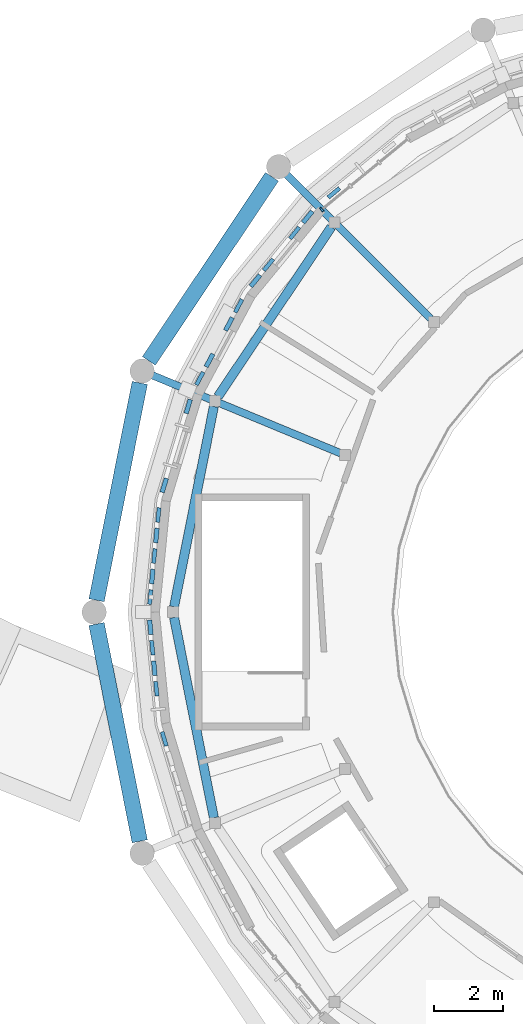
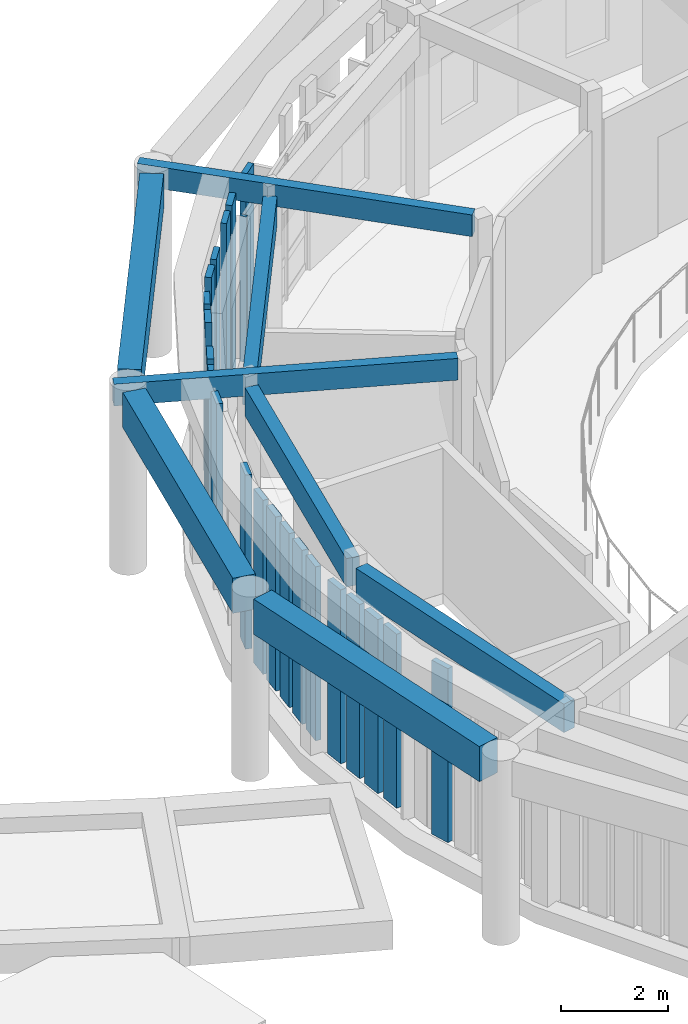
# One storey, part 13 of 80: 24 members, 6 beams, 1 element without a shape of its own.
"""IFC4 building model written with IfcOpenShell, lengths in metres."""

import ifcopenshell
import ifcopenshell.guid

model = None  # the IFC model being written
_history = None  # IfcOwnerHistory: only IFC2X3 demands one
_inside = {}  # id of a spatial element -> (the spatial element, [elements in it])
_under = {}  # id of a project, library or spatial element -> (it, [spatial elements below it])
_declared = {}  # id of a project -> (the project, [libraries it declares])
_typed = {}  # id of a type object -> (the type object, [elements of that type])
_made_of = {}  # id of a material, layer set ... -> (it, [elements and type objects made of it])


def new_model(schema):
    """Start an empty IFC model of exactly this schema.

    Asked for "IFC4X3", IfcOpenShell would pick the latest addendum, in which some entities
    have other attributes; the version numbers below select the first issue.
    IFC2X3 requires an IfcOwnerHistory on every rooted entity: one is made here for all.
    """
    global model, _history
    if schema == "IFC4X3":
        model = ifcopenshell.file(schema_version=(4, 3, 0, 0))
    else:
        model = ifcopenshell.file(schema=schema)
    _inside.clear()
    _under.clear()
    _declared.clear()
    _typed.clear()
    _made_of.clear()
    _history = None
    if model.schema == "IFC2X3":
        org = make("IfcOrganization", Name="unknown")
        user = make(
            "IfcPersonAndOrganization",
            ThePerson=make("IfcPerson", FamilyName="unknown"),
            TheOrganization=org,
        )
        app = make(
            "IfcApplication",
            ApplicationDeveloper=org,
            Version="unknown",
            ApplicationFullName="unknown",
            ApplicationIdentifier="unknown",
        )
        _history = make(
            "IfcOwnerHistory",
            OwningUser=user,
            OwningApplication=app,
            ChangeAction="ADDED",
            CreationDate=0,
        )
    return model


def make(cls, **values):
    """One entity of the class cls with the attributes given. An attribute that is None is left unset."""
    return model.create_entity(
        cls, **{name: value for name, value in values.items() if value is not None}
    )


def rooted(cls, **values):
    """An entity with a GlobalId (a new one), such as an element, a storey or a relation."""
    return make(cls, GlobalId=ifcopenshell.guid.new(), OwnerHistory=_history, **values)


def si_unit(unit_type, name, prefix=None):
    """IfcSIUnit, for example si_unit("LENGTHUNIT", "METRE", prefix="MILLI")."""
    return make("IfcSIUnit", UnitType=unit_type, Prefix=prefix, Name=name)


def assignment(units):
    """IfcUnitAssignment: the units of a project."""
    return None if units is None else make("IfcUnitAssignment", Units=units)


def point(xyz):
    """IfcCartesianPoint."""
    return None if xyz is None else make("IfcCartesianPoint", Coordinates=xyz)


def direction(xyz):
    """IfcDirection."""
    return None if xyz is None else make("IfcDirection", DirectionRatios=xyz)


def frame(location, z_axis=None, x_axis=None):
    """IfcAxis2Placement3D, a coordinate frame: its origin and axes. An axis left out is left unset."""
    return make(
        "IfcAxis2Placement3D",
        Location=point(location),
        Axis=direction(z_axis),
        RefDirection=direction(x_axis),
    )


def frame_2d(location, x_axis=None):
    """IfcAxis2Placement2D, a coordinate frame in the plane: its origin and x axis."""
    return make(
        "IfcAxis2Placement2D", Location=point(location), RefDirection=direction(x_axis)
    )


def origin():
    """The frame at (0, 0, 0) with its axes left unset."""
    return frame((0.0, 0.0, 0.0))


def origin_2d():
    """The frame at (0, 0) in the plane with its x axis left unset."""
    return frame_2d((0.0, 0.0))


def place(relative_to, where):
    """IfcLocalPlacement: puts the frame where relative to a parent placement (None: the world)."""
    return make(
        "IfcLocalPlacement", PlacementRelTo=relative_to, RelativePlacement=where
    )


def context(
    kind, dimensions, precision=None, world=None, true_north=None, identifier=None
):
    """IfcGeometricRepresentationContext, for example the 3D "Model" context."""
    return make(
        "IfcGeometricRepresentationContext",
        ContextIdentifier=identifier,
        ContextType=kind,
        CoordinateSpaceDimension=dimensions,
        Precision=precision,
        WorldCoordinateSystem=world,
        TrueNorth=true_north,
    )


def subcontext(parent, identifier, kind, view, scale=None):
    """IfcGeometricRepresentationSubContext, for example "Body" below "Model"."""
    return make(
        "IfcGeometricRepresentationSubContext",
        ContextIdentifier=identifier,
        ContextType=kind,
        ParentContext=parent,
        TargetScale=scale,
        TargetView=view,
    )


def project(units=None, contexts=None):
    """IfcProject with its units and contexts."""
    return rooted(
        "IfcProject",
        Name="project",
        RepresentationContexts=contexts,
        UnitsInContext=assignment(units),
    )


def spatial(cls, under=None, at=None, **own):
    """A site, building, storey or space (cls), placed at a placement, below another one or the project."""
    s = rooted(cls, ObjectPlacement=at, **own)
    if under is not None:
        _under.setdefault(under.id(), (under, []))[1].append(s)
    return s


def profile(cls, at=None, kind="AREA", **sizes):
    """A parametric profile (cls). Its sizes go by their IFC names, for example OverallWidth=200.0."""
    return make(cls, ProfileType=kind, Position=at, **sizes)


def rectangle(**sizes):
    """IfcRectangleProfileDef."""
    return profile("IfcRectangleProfileDef", **sizes)


def extrude(swept, where, along, depth):
    """IfcExtrudedAreaSolid: the profile swept, set in the frame where, extruded along a direction by depth."""
    return make(
        "IfcExtrudedAreaSolid",
        SweptArea=swept,
        Position=where,
        ExtrudedDirection=direction(along),
        Depth=depth,
    )


def shape(context_of_items, identifier, shape_type, items):
    """IfcShapeRepresentation: the items that make up one representation, for example the "Body"."""
    return make(
        "IfcShapeRepresentation",
        ContextOfItems=context_of_items,
        RepresentationIdentifier=identifier,
        RepresentationType=shape_type,
        Items=items,
    )


def material(Name=None, Category=None):
    """IfcMaterial."""
    return make("IfcMaterial", Name=Name, Category=Category)


def layer(
    of_material, thickness, ventilated=None, Name=None, Category=None, Priority=None
):
    """IfcMaterialLayer: one layer of a wall or slab, of a material (None: an air gap)."""
    return make(
        "IfcMaterialLayer",
        Material=of_material,
        LayerThickness=thickness,
        IsVentilated=ventilated,
        Name=Name,
        Category=Category,
        Priority=Priority,
    )


def layer_set(layers, Name=None):
    """IfcMaterialLayerSet."""
    return make("IfcMaterialLayerSet", MaterialLayers=layers, LayerSetName=Name)


def material_profile(
    of_material, cross_section, Name=None, Category=None, Priority=None
):
    """IfcMaterialProfile: a cross section and its material."""
    return make(
        "IfcMaterialProfile",
        Name=Name,
        Material=of_material,
        Profile=cross_section,
        Priority=Priority,
        Category=Category,
    )


def profile_set(profiles, Name=None, composite=None):
    """IfcMaterialProfileSet."""
    return make(
        "IfcMaterialProfileSet",
        Name=Name,
        MaterialProfiles=profiles,
        CompositeProfile=composite,
    )


def made_of(thing, what):
    """Note that an element or type object is made of a material, layer set ...; save() writes the relation."""
    if what is not None:
        _made_of.setdefault(what.id(), (what, []))[1].append(thing)
    return thing


def type_object(cls, material=None, **own):
    """A type object (cls), such as IfcWallType, which elements share."""
    return made_of(rooted(cls, **own), material)


def element(
    cls,
    number,
    at=None,
    inside=None,
    cuts=None,
    type_object=None,
    material=None,
    context=None,
    identifier="Body",
    shape_type=None,
    held_by="IfcProductDefinitionShape",
    body=None,
    shapes=None,
    **own,
):
    """One element of the class cls, such as IfcWall. Its Tag is "e" and its number.

    at: its placement. inside: the storey or other place that contains it. cuts: it is an
    opening in that element (IfcRelVoidsElement). A single representation is given by context,
    identifier, shape_type and body (its items); several are given by shapes. held_by: the class
    of the entity that holds the representations. save() writes the other relations.
    """
    e = rooted(cls, Tag="e%d" % number, ObjectPlacement=at, **own)
    if body is not None:
        shapes = [shape(context, identifier, shape_type, body)]
    if shapes is not None:
        e.Representation = make(held_by, Representations=shapes)
    if inside is not None:
        _inside.setdefault(inside.id(), (inside, []))[1].append(e)
    if cuts is not None:
        rooted(
            "IfcRelVoidsElement", RelatingBuildingElement=cuts, RelatedOpeningElement=e
        )
    if type_object is not None:
        _typed.setdefault(type_object.id(), (type_object, []))[1].append(e)
    return made_of(e, material)


def aggregate(whole, parts):
    """IfcRelAggregates: a whole, such as a stair, and the parts it consists of."""
    return rooted("IfcRelAggregates", RelatingObject=whole, RelatedObjects=parts)


def save(model, path):
    """Write the relations noted so far, then the file.

    IfcRelAggregates (storeys below a building ...), IfcRelContainedInSpatialStructure (elements
    in a storey), IfcRelDefinesByType, IfcRelAssociatesMaterial and IfcRelDeclares: one each for
    every whole, place, type object, material and project.
    """
    for whole, parts in _under.values():
        aggregate(whole, parts)
    for where, things in _inside.values():
        rooted(
            "IfcRelContainedInSpatialStructure",
            RelatedElements=things,
            RelatingStructure=where,
        )
    for kind, things in _typed.values():
        rooted("IfcRelDefinesByType", RelatedObjects=things, RelatingType=kind)
    for what, things in _made_of.values():
        rooted("IfcRelAssociatesMaterial", RelatedObjects=things, RelatingMaterial=what)
    for by, libraries in _declared.values():
        rooted("IfcRelDeclares", RelatingContext=by, RelatedDefinitions=libraries)
    model.write(path)


model = new_model("IFC4")

# Units and contexts
model_context = context("Model", 3, precision=1e-05, world=origin(), true_north=direction((0.0, 1.0)))
body_context = subcontext(model_context, "Body", "Model", "MODEL_VIEW")
ifc_project = project(units=[si_unit("LENGTHUNIT", "METRE"), si_unit("AREAUNIT", "SQUARE_METRE"), si_unit("VOLUMEUNIT", "CUBIC_METRE"), si_unit("PLANEANGLEUNIT", "RADIAN"), si_unit("MASSUNIT", "GRAM", prefix="KILO")], contexts=[model_context])

# Site, building, storey
site_placement = place(None, origin())
site = spatial("IfcSite", under=ifc_project, at=site_placement, CompositionType="ELEMENT")
building_placement = place(site_placement, origin())
building = spatial("IfcBuilding", under=site, at=building_placement, Name="Aldenvaro Health Centre", CompositionType="ELEMENT")
storey_placement = place(building_placement, frame((0.0, 0.0, 4.550048828125)))
storey = spatial("IfcBuildingStorey", under=building, at=storey_placement, Name="L01", CompositionType="ELEMENT", Elevation=4.550048828125)

# Beams
ifc_material_1 = material(Name="Glulam GL28h", Category="wood")
ifc_material_profile_1 = material_profile(ifc_material_1, rectangle(XDim=0.264892578125, YDim=0.64599609375, at=origin_2d()), Name="GL 265x646", Category="wood")
ifc_profile_set_1 = profile_set([ifc_material_profile_1], Name="Glulam GL28h")
beam_type_1 = type_object("IfcBeamType", Name="BM-GL-646", PredefinedType="SPANDREL", material=ifc_profile_set_1)
beam_1_placement = place(storey_placement, frame((75.68408203125, 31.097900390625, 3.636962890625), z_axis=(-0.555657760131, -0.831411121893, 0.0), x_axis=(0.831411121893, -0.555657760131, 0.0)))
element("IfcBeam", 1, at=beam_1_placement, inside=storey, type_object=beam_type_1, Name="D1 L01 perimeter spandrel 07", PredefinedType="SPANDREL", context=body_context, shape_type="SweptSolid", body=[
    extrude(rectangle(XDim=0.264892578125, YDim=0.64599609375, at=origin_2d()), origin(), (0.0, 0.0, 1.0), 5.88134765625),
])
for number, where, z_axis, x_axis, name in (
    (2, (72.298095703125, 25.923095703125, 3.636962890625), (-0.19503844742, -0.980795597476, 0.0), (0.980795597476, -0.19503844742, 0.0), "D1 L01 perimeter spandrel 08"),
    (3, (71.15087890625, 19.845947265625, 3.636962890625), (0.19503844742, -0.980795597476, 0.0), (0.980795597476, 0.19503844742, 0.0), "D1 L01 perimeter spandrel 09"),
):
    element("IfcBeam", number, at=place(storey_placement, frame(where, z_axis=z_axis, x_axis=x_axis)), inside=storey, type_object=beam_type_1, Name=name, PredefinedType="SPANDREL", context=body_context, shape_type="SweptSolid", body=[
        extrude(rectangle(XDim=0.264892578125, YDim=0.64599609375, at=origin_2d()), origin(), (0.0, 0.0, 1.0), 5.882080078125),
    ])
ifc_material_2 = material(Name="Concrete f'c 40 MPa", Category="concrete")
ifc_material_profile_2 = material_profile(ifc_material_2, rectangle(XDim=0.449951171875, YDim=0.800048828125, at=origin_2d()), Name="RC 450x800", Category="concrete")
ifc_profile_set_2 = profile_set([ifc_material_profile_2], Name="Concrete f'c 40 MPa")
beam_type_2 = type_object("IfcBeamType", Name="BM-RC-800", PredefinedType="SPANDREL", material=ifc_profile_set_2)
beam_2_placement = place(storey_placement, frame((73.971923828125, 32.54296875, 3.800048828125), z_axis=(-0.555635655286, -0.831425894818, 0.0), x_axis=(0.831425894818, -0.555635655286, 0.0)))
element("IfcBeam", 4, at=beam_2_placement, inside=storey, type_object=beam_type_2, Name="Waiting Rotunda Peristyle Entablature Ring 07", PredefinedType="SPANDREL", context=body_context, shape_type="SweptSolid", body=[
    extrude(rectangle(XDim=0.449951171875, YDim=0.800048828125, at=origin_2d()), origin(), (0.0, 0.0, 1.0), 6.381591796875),
])
for number, where, z_axis, x_axis, name in (
    (5, (70.1640625, 26.60302734375, 3.800048828125), (-0.195226015324, -0.980758279568, 0.0), (0.980758279568, -0.195226015324, 0.0), "Waiting Rotunda Peristyle Entablature Ring 08"),
    (6, (68.91796875, 19.656982421875, 3.800048828125), (0.195226015324, -0.980758279568, 0.0), (0.980758279568, 0.195226015324, 0.0), "Waiting Rotunda Peristyle Entablature Ring 09"),
):
    element("IfcBeam", number, at=place(storey_placement, frame(where, z_axis=z_axis, x_axis=x_axis)), inside=storey, type_object=beam_type_2, Name=name, PredefinedType="SPANDREL", context=body_context, shape_type="SweptSolid", body=[
        extrude(rectangle(XDim=0.449951171875, YDim=0.800048828125, at=origin_2d()), origin(), (0.0, 0.0, 1.0), 6.3828125),
    ])

# Curtain wall, member
ifc_material_3 = material(Name="Anodised Aluminium 6063-T6", Category="aluminium")
ifc_layer = layer(ifc_material_3, 0.179931640625, Name="Anodised Aluminium 6063-T6", Category="aluminium")
ifc_layer_set = layer_set([ifc_layer], Name="Anodised Aluminium 6063-T6")
curtain_wall_type = type_object("IfcCurtainWallType", Name="CW-ROT-01", PredefinedType="NOTDEFINED", material=ifc_layer_set)
curtain_wall_placement = place(storey_placement, origin())
curtain_wall = element("IfcCurtainWall", 7, at=curtain_wall_placement, inside=storey, type_object=curtain_wall_type, Name="D1 L01 curtain wall bay 21", PredefinedType="NOTDEFINED")
ifc_material_profile_3 = material_profile(ifc_material_3, rectangle(XDim=0.06005859375, YDim=0.135009765625, at=origin_2d()), Name="ALU 60x135", Category="aluminium")
ifc_profile_set_3 = profile_set([ifc_material_profile_3], Name="Anodised Aluminium 6063-T6")
member_type_1 = type_object("IfcMemberType", Name="CWM-150", PredefinedType="MULLION", material=ifc_profile_set_3)
member_1_placement = place(storey_placement, frame((75.403076171875, 31.596923828125, 0.0), z_axis=(0.0, 0.0, 1.0), x_axis=(0.773194586776, 0.634168850528, 0.0)))
member_1 = element("IfcMember", 8, at=member_1_placement, type_object=member_type_1, Name="D1 L01 curtain wall bay 21 mullion 1", PredefinedType="MULLION", context=body_context, shape_type="SweptSolid", body=[
    extrude(rectangle(XDim=0.06005859375, YDim=0.135009765625, at=origin_2d()), origin(), (0.0, 0.0, 1.0), 3.31396484375),
])
aggregate(curtain_wall, [member_1])

# Members
ifc_material_profile_4 = material_profile(ifc_material_1, rectangle(XDim=0.215087890625, YDim=0.493896484375, at=origin_2d()), Name="GL 215x494", Category="wood")
ifc_profile_set_4 = profile_set([ifc_material_profile_4], Name="Glulam GL28h")
member_type_2 = type_object("IfcMemberType", Name="MEM-RF-494", PredefinedType="RAFTER", material=ifc_profile_set_4)
member_2_placement = place(storey_placement, frame((73.968017578125, 33.031982421875, 3.952880859375), z_axis=(0.707106781187, -0.707106781187, 0.0), x_axis=(0.707106781187, 0.707106781187, 0.0)))
element("IfcMember", 9, at=member_2_placement, inside=storey, type_object=member_type_2, Name="Waiting Rotunda Cornice Outrigger Rafter 07", PredefinedType="RAFTER", context=body_context, shape_type="SweptSolid", body=[
    extrude(rectangle(XDim=0.215087890625, YDim=0.493896484375, at=origin_2d()), origin(), (0.0, 0.0, 1.0), 6.469970703125),
])
member_3_placement = place(storey_placement, frame((69.972900390625, 27.052978515625, 3.952880859375), z_axis=(0.923885312463, -0.382669478028, 0.0), x_axis=(0.382669478028, 0.923885312463, 0.0)))
element("IfcMember", 10, at=member_3_placement, inside=storey, type_object=member_type_2, Name="Waiting Rotunda Cornice Outrigger Rafter 08", PredefinedType="RAFTER", context=body_context, shape_type="SweptSolid", body=[
    extrude(rectangle(XDim=0.215087890625, YDim=0.493896484375, at=origin_2d()), origin(), (0.0, 0.0, 1.0), 6.470458984375),
])
ifc_material_profile_5 = material_profile(ifc_material_1, rectangle(XDim=0.114990234375, YDim=0.419921875, at=origin_2d()), Name="GL 115x420", Category="wood")
ifc_profile_set_5 = profile_set([ifc_material_profile_5], Name="Glulam GL28h")
member_type_3 = type_object("IfcMemberType", Name="MEM-SLT-420A", PredefinedType="POST", material=ifc_profile_set_5)
for number, where, z_axis, x_axis, name in (
    (11, (70.868896484375, 16.347900390625, 0.0), (0.0, 0.0, 1.0), (-0.95697469172, -0.290171396605, 0.0), "D1 L01 vertical timber slat 15.5"),
    (12, (70.64208984375, 17.79296875, 0.0), (0.0, 0.0, 1.0), (-0.995186971968, -0.097994340783, 0.0), "D1 L01 vertical timber slat 16.2"),
    (13, (70.52490234375, 18.97412109375, 0.0), (0.0, 0.0, 1.0), (-0.995186971968, -0.097994340783, 0.0), "D1 L01 vertical timber slat 16.4"),
    (14, (70.467041015625, 20.43505859375, 0.0), (0.0, 0.0, 1.0), (-0.995186971968, 0.097994340783, 0.0), "D1 L01 vertical timber slat 17.1"),
    (15, (70.5830078125, 21.616943359375, 0.0), (0.0, 0.0, 1.0), (-0.995186971968, 0.097994340783, 0.0), "D1 L01 vertical timber slat 17.3"),
    (16, (70.699951171875, 22.798095703125, 0.0), (0.0, 0.0, 1.0), (-0.995186971968, 0.097994340783, 0.0), "D1 L01 vertical timber slat 17.5"),
    (17, (71.89208984375, 26.72900390625, 0.0), (0.0, 0.0, 1.0), (-0.88183578132, 0.471556629455, 0.0), "D1 L01 vertical timber slat 19.1"),
    (18, (73.011962890625, 28.822998046875, 0.0), (0.0, 0.0, 1.0), (-0.88183578132, 0.471556629455, 0.0), "D1 L01 vertical timber slat 19.5"),
    (19, (73.8720703125, 30.006103515625, 0.0), (0.0, 0.0, 1.0), (-0.773194586776, 0.634168850528, 0.0), "D1 L01 vertical timber slat 20.2"),
    (20, (74.625, 30.924072265625, 0.0), (0.0, 0.0, 1.0), (-0.773194586776, 0.634168850528, 0.0), "D1 L01 vertical timber slat 20.4"),
    (21, (75.7548828125, 32.080078125, 0.0), (0.0, 0.0, 1.0), (-0.634168850528, 0.773194586776, 0.0), "D1 L01 curtain mullion timber slat 21"),
):
    element("IfcMember", number, at=place(storey_placement, frame(where, z_axis=z_axis, x_axis=x_axis)), inside=storey, type_object=member_type_3, Name=name, PredefinedType="POST", context=body_context, shape_type="SweptSolid", body=[
        extrude(rectangle(XDim=0.114990234375, YDim=0.419921875, at=origin_2d()), origin(), (0.0, 0.0, 1.0), 3.9599609375),
    ])
ifc_material_profile_6 = material_profile(ifc_material_1, rectangle(XDim=0.1298828125, YDim=0.419921875, at=origin_2d()), Name="GL 130x420", Category="wood")
ifc_profile_set_6 = profile_set([ifc_material_profile_6], Name="Glulam GL28h")
member_type_4 = type_object("IfcMemberType", Name="MEM-SLT-420B", PredefinedType="POST", material=ifc_profile_set_6)
for number, where, z_axis, x_axis, name in (
    (22, (70.5830078125, 18.383056640625, 0.0), (0.0, 0.0, 1.0), (-0.995186971968, -0.097994340783, 0.0), "D1 L01 vertical timber slat 16.3"),
    (23, (70.467041015625, 19.56494140625, 0.0), (0.0, 0.0, 1.0), (-0.995186971968, -0.097994340783, 0.0), "D1 L01 vertical timber slat 16.5"),
    (24, (70.52490234375, 21.02587890625, 0.0), (0.0, 0.0, 1.0), (-0.995186971968, 0.097994340783, 0.0), "D1 L01 vertical timber slat 17.2"),
    (25, (70.64208984375, 22.20703125, 0.0), (0.0, 0.0, 1.0), (-0.995186971968, 0.097994340783, 0.0), "D1 L01 vertical timber slat 17.4"),
    (26, (70.868896484375, 23.652099609375, 0.0), (0.0, 0.0, 1.0), (-0.95697469172, 0.290171396605, 0.0), "D1 L01 vertical timber slat 18.1"),
    (27, (71.55908203125, 25.925048828125, 0.0), (0.0, 0.0, 1.0), (-0.95697469172, 0.290171396605, 0.0), "D1 L01 vertical timber slat 18.5"),
    (28, (72.172119140625, 27.251953125, 0.0), (0.0, 0.0, 1.0), (-0.88183578132, 0.471556629455, 0.0), "D1 L01 vertical timber slat 19.2"),
    (29, (72.73193359375, 28.300048828125, 0.0), (0.0, 0.0, 1.0), (-0.88183578132, 0.471556629455, 0.0), "D1 L01 vertical timber slat 19.4"),
    (30, (73.4951171875, 29.547119140625, 0.0), (0.0, 0.0, 1.0), (-0.773194586776, 0.634168850528, 0.0), "D1 L01 vertical timber slat 20.1"),
    (31, (75.0009765625, 31.383056640625, 0.0), (0.0, 0.0, 1.0), (-0.773194586776, 0.634168850528, 0.0), "D1 L01 vertical timber slat 20.5"),
):
    element("IfcMember", number, at=place(storey_placement, frame(where, z_axis=z_axis, x_axis=x_axis)), inside=storey, type_object=member_type_4, Name=name, PredefinedType="POST", context=body_context, shape_type="SweptSolid", body=[
        extrude(rectangle(XDim=0.1298828125, YDim=0.419921875, at=origin_2d()), origin(), (0.0, 0.0, 1.0), 3.9599609375),
    ])

save(model, "model.ifc")
